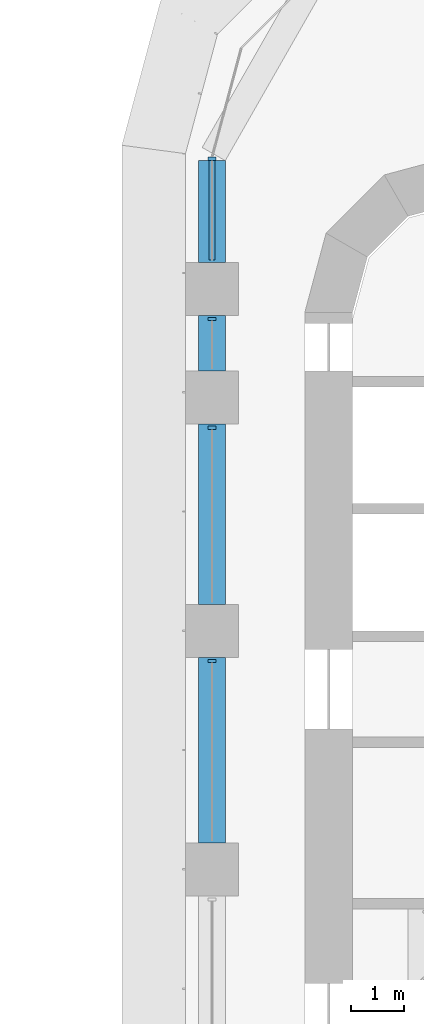
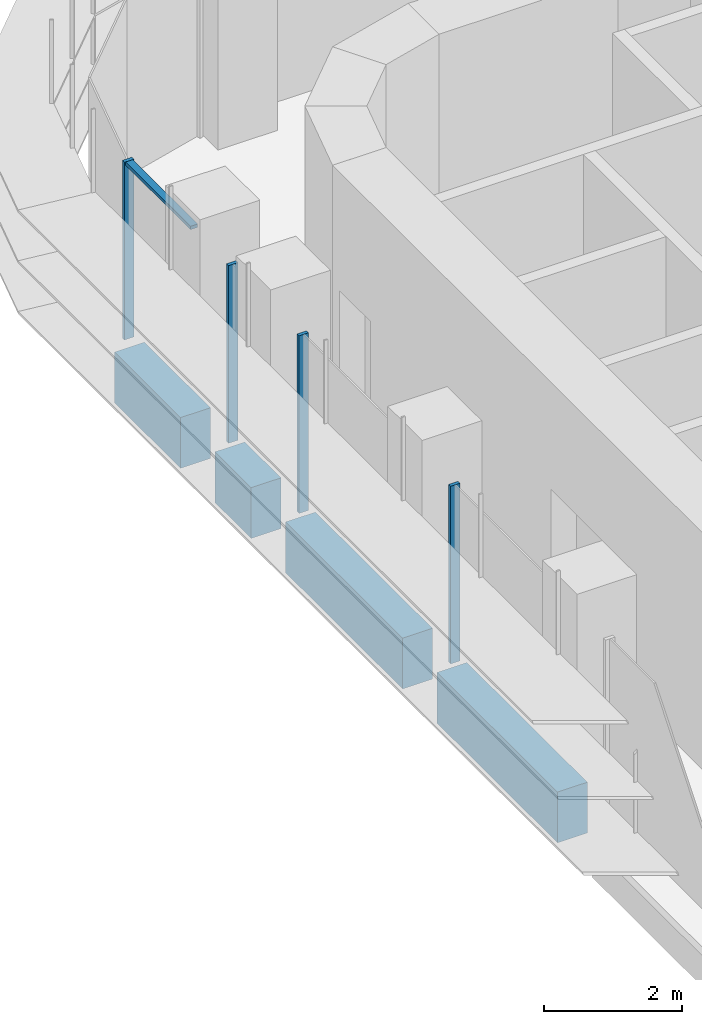
# One storey, part 7 of 23: 5 members, 4 beams, 1 element without a shape of its own.
"""IFC4 building model written with IfcOpenShell, lengths in metres."""

from ifc_helpers import new_model, si_unit, direction, frame, origin, origin_2d, place, context, subcontext, project, spatial, polyline, rectangle, outline, extrude, source, transform, mapped, material, material_profile, profile_set, type_object, element, aggregate, save


model = new_model("IFC4")

# Units and contexts
model_context = context("Model", 3, precision=1e-05, world=origin(), true_north=direction((0.0, 1.0)))
body_context = subcontext(model_context, "Body", "Model", "MODEL_VIEW")
ifc_project = project(units=[si_unit("LENGTHUNIT", "METRE"), si_unit("AREAUNIT", "SQUARE_METRE"), si_unit("VOLUMEUNIT", "CUBIC_METRE"), si_unit("PLANEANGLEUNIT", "RADIAN"), si_unit("MASSUNIT", "GRAM", prefix="KILO")], contexts=[model_context])

# Site, building, storey
site_placement = place(None, origin())
site = spatial("IfcSite", under=ifc_project, at=site_placement, CompositionType="ELEMENT")
building_placement = place(site_placement, origin())
building = spatial("IfcBuilding", under=site, at=building_placement, Name="Zarbagh Exchange Tower", CompositionType="ELEMENT")
storey_placement = place(building_placement, frame((0.0, 0.0, 77.39990234375)))
storey = spatial("IfcBuildingStorey", under=building, at=storey_placement, Name="L17", CompositionType="ELEMENT", Elevation=77.39990234375)

# Beams
ifc_material_1 = material(Name="Concrete C60/75", Category="concrete")
ifc_material_profile = material_profile(ifc_material_1, rectangle(XDim=0.5, YDim=0.89990234375, at=origin_2d()), Name="RC spandrel beam 500 x 900 C60/75")
ifc_profile_set = profile_set([ifc_material_profile], Name="Concrete C60/75")
beam_type = type_object("IfcBeamType", Name="RC spandrel beam 500 x 900 C60/75", PredefinedType="SPANDREL", material=ifc_profile_set)
beam_1_placement = place(storey_placement, frame((-6.25, 16.25, -0.599853515625), z_axis=(0.0, 1.0, 0.0), x_axis=(-1.0, 0.0, 0.0)))
element("IfcBeam", 1, at=beam_1_placement, inside=storey, type_object=beam_type, Name="RC spandrel beam", PredefinedType="SPANDREL", context=body_context, shape_type="SweptSolid", body=[
    extrude(rectangle(XDim=0.5, YDim=0.89990234375, at=origin_2d()), origin(), (0.0, 0.0, 1.0), 3.5),
])
beam_2_placement = place(storey_placement, frame((-6.25, 20.75, -0.599853515625), z_axis=(0.0, 1.0, 0.0), x_axis=(-1.0, 0.0, 0.0)))
element("IfcBeam", 2, at=beam_2_placement, inside=storey, type_object=beam_type, Name="RC spandrel beam", PredefinedType="SPANDREL", context=body_context, shape_type="SweptSolid", body=[
    extrude(rectangle(XDim=0.5, YDim=0.89990234375, at=origin_2d()), origin(), (0.0, 0.0, 1.0), 3.39990234375),
])
beam_3_placement = place(storey_placement, frame((-6.25, 25.14990234375, -0.599853515625), z_axis=(0.0, 1.0, 0.0), x_axis=(-1.0, 0.0, 0.0)))
element("IfcBeam", 3, at=beam_3_placement, inside=storey, type_object=beam_type, Name="RC spandrel beam", PredefinedType="SPANDREL", context=body_context, shape_type="SweptSolid", body=[
    extrude(rectangle(XDim=0.5, YDim=0.89990234375, at=origin_2d()), origin(), (0.0, 0.0, 1.0), 1.050048828125),
])
beam_4_placement = place(storey_placement, frame((-6.25, 27.199951171875, -0.599853515625), z_axis=(0.0, 1.0, 0.0), x_axis=(-1.0, 0.0, 0.0)))
element("IfcBeam", 4, at=beam_4_placement, inside=storey, type_object=beam_type, Name="RC spandrel beam", PredefinedType="SPANDREL", context=body_context, shape_type="SweptSolid", body=[
    extrude(rectangle(XDim=0.5, YDim=0.89990234375, at=origin_2d()), origin(), (0.0, 0.0, 1.0), 1.91796875),
])

# Curtain wall, members
ifc_material_2 = material(Name="Anodised aluminium frame and glazing", Category="aluminium")
curtain_wall_type = type_object("IfcCurtainWallType", Name="CWA Ribbon glazing, lower zones", PredefinedType="NOTDEFINED", material=ifc_material_2)
curtain_wall_placement = place(storey_placement, origin())
curtain_wall = element("IfcCurtainWall", 5, at=curtain_wall_placement, inside=storey, type_object=curtain_wall_type, Name="CWA28 curtain wall", PredefinedType="NOTDEFINED")
ifc_material_3 = material(Name="Anodised aluminium frame", Category="aluminium")
member_type_1 = type_object("IfcMemberType", Name="MUA Mullion, anodised aluminium frame", PredefinedType="MULLION", material=ifc_material_3)
shared_shape_1 = source(origin(), body_context, "Body", "SweptSolid", [
    extrude(outline(polyline([(0.0, -0.080078125), (0.06005859375, -0.080078125), (0.06005859375, 0.080078125), (0.0, 0.080078125), (0.0, -0.080078125)])), origin(), (0.0, 0.0, 1.0), 3.14990234375),
])
placement = place(storey_placement, origin())
member_1 = element("IfcMember", 6, at=placement, type_object=member_type_1, Name="CWA28 mullion 1.1", PredefinedType="MULLION", context=body_context, shape_type="MappedRepresentation", body=[
    mapped(shared_shape_1, transform((-6.25, 29.18408203125, 0.0), x_axis=(0.0, -1.0, 0.0), y_axis=(1.0, 0.0, 0.0), z_axis=(0.0, 0.0, 1.0))),
])
member_2 = element("IfcMember", 7, at=placement, type_object=member_type_1, Name="CWA28 mullion 2.1", PredefinedType="MULLION", context=body_context, shape_type="MappedRepresentation", body=[
    mapped(shared_shape_1, transform((-6.25, 26.159912109375, 0.0), x_axis=(0.0, -1.0, 0.0), y_axis=(1.0, 0.0, 0.0), z_axis=(0.0, 0.0, 1.0))),
])
member_3 = element("IfcMember", 8, at=placement, type_object=member_type_1, Name="CWA28 mullion 3.1", PredefinedType="MULLION", context=body_context, shape_type="MappedRepresentation", body=[
    mapped(shared_shape_1, transform((-6.25, 24.10986328125, 0.0), x_axis=(0.0, -1.0, 0.0), y_axis=(1.0, 0.0, 0.0), z_axis=(0.0, 0.0, 1.0))),
])
member_4 = element("IfcMember", 9, at=placement, type_object=member_type_1, Name="CWA28 mullion 4.1", PredefinedType="MULLION", context=body_context, shape_type="MappedRepresentation", body=[
    mapped(shared_shape_1, transform((-6.25, 19.7099609375, 0.0), x_axis=(0.0, -1.0, 0.0), y_axis=(1.0, 0.0, 0.0), z_axis=(0.0, 0.0, 1.0))),
])
member_type_2 = type_object("IfcMemberType", Name="TRA Transom, anodised aluminium frame", PredefinedType="USERDEFINED", material=ifc_material_3)
shared_shape_2 = source(origin(), body_context, "Body", "SweptSolid", [
    extrude(outline(polyline([(-0.06005859375, -0.06005859375), (0.0, -0.06005859375), (0.0, 0.06005859375), (-0.06005859375, 0.06005859375), (-0.06005859375, -0.06005859375)])), origin(), (0.0, 0.0, 1.0), 1.88427734375),
])
member_5 = element("IfcMember", 10, at=placement, type_object=member_type_2, Name="CWA28 transom 1.1", ObjectType="TRANSOM", PredefinedType="USERDEFINED", context=body_context, shape_type="MappedRepresentation", body=[
    mapped(shared_shape_2, transform((-6.25, 29.124267578125, 3.150146484375), x_axis=(0.0, 0.0, 1.0), y_axis=(-1.0, 0.0, 0.0), z_axis=(0.0, -1.0, 0.0))),
])
aggregate(curtain_wall, [member_1, member_5, member_2, member_3, member_4])

save(model, "model.ifc")
